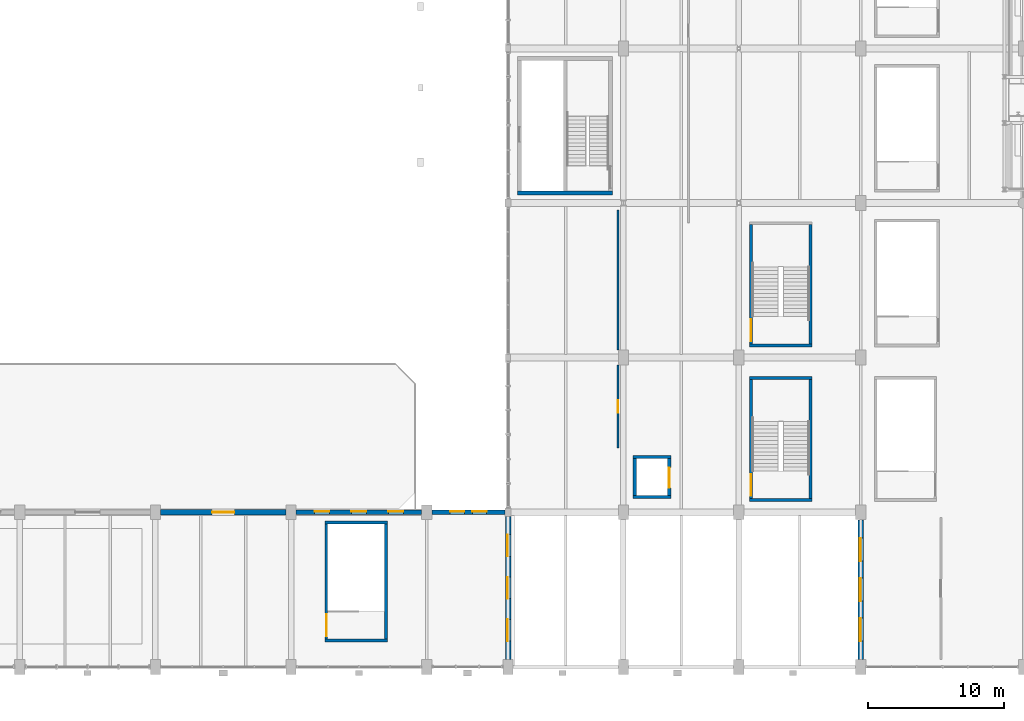
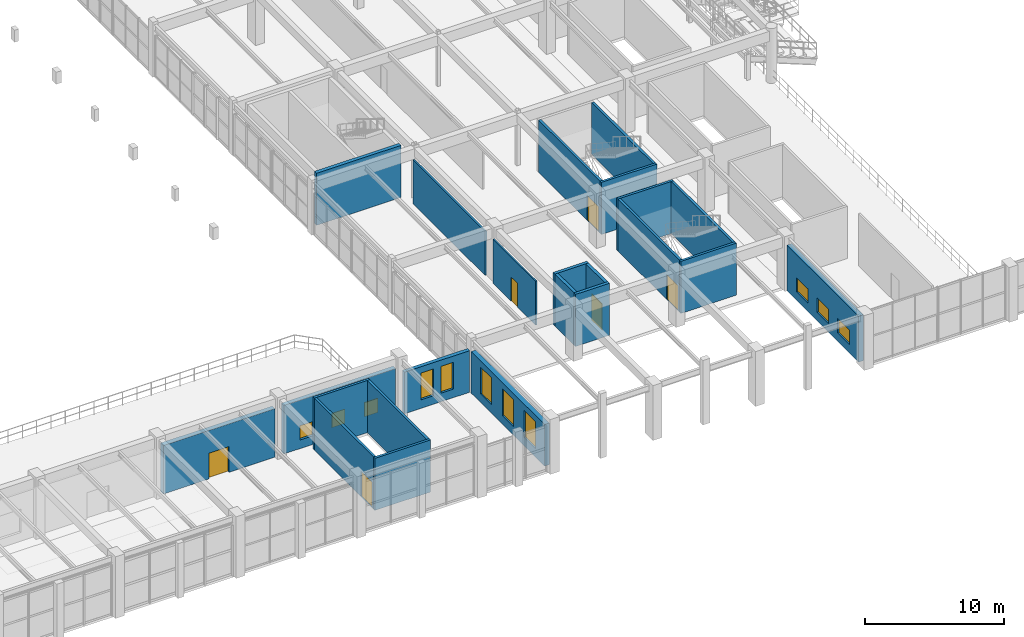
# One storey, part 82 of 106: 23 walls, 11 windows, 6 doors, 17 openings.
"""IFC4 building model written with IfcOpenShell, lengths in metres."""

from ifc_helpers import new_model, si_unit, direction, frame, frame_2d, origin, place, context, subcontext, project, spatial, rectangle, extrude, material, layer, layer_set, type_object, element, fill, save


model = new_model("IFC4")

# Units and contexts
model_context = context("Model", 3, precision=1e-05, world=origin(), true_north=direction((0.0, 1.0)))
body_context = subcontext(model_context, "Body", "Model", "MODEL_VIEW")
ifc_project = project(units=[si_unit("LENGTHUNIT", "METRE"), si_unit("AREAUNIT", "SQUARE_METRE"), si_unit("VOLUMEUNIT", "CUBIC_METRE"), si_unit("PLANEANGLEUNIT", "RADIAN"), si_unit("MASSUNIT", "GRAM", prefix="KILO"), si_unit("POWERUNIT", "WATT"), si_unit("THERMODYNAMICTEMPERATUREUNIT", "KELVIN")], contexts=[model_context])

# Site, building, storey
site_placement = place(None, origin())
site = spatial("IfcSite", under=ifc_project, at=site_placement, CompositionType="ELEMENT")
building_placement = place(site_placement, origin())
building = spatial("IfcBuilding", under=site, at=building_placement, Name="Kelmbourne Parkland Aquatics Centre", CompositionType="ELEMENT")
storey_placement = place(building_placement, frame((0.0, 0.0, 5.39990234375)))
storey = spatial("IfcBuildingStorey", under=building, at=storey_placement, Name="L01", CompositionType="ELEMENT", Elevation=5.39990234375)

# Walls
ifc_material_1 = material(Name="Concrete C40/50", Category="concrete")
ifc_layer_1 = layer(ifc_material_1, 0.25)
ifc_layer_set_1 = layer_set([ifc_layer_1], Name="Concrete C40/50")
wall_type_1 = type_object("IfcWallType", Name="W-CORE-250", PredefinedType="SHEAR", material=ifc_layer_set_1)
for number, where, z_axis, x_axis, name in (
    (1, (111.199951171875, 13.324951171875, 0.0), (0.0, 0.0, 1.0), (1.0, 0.0, 0.0), "Goods lift south wall (L01)"),
    (2, (111.199951171875, 16.27490234375, 0.0), (0.0, 0.0, 1.0), (1.0, 0.0, 0.0), "Goods lift north wall (L01)"),
):
    element("IfcWall", number, at=place(storey_placement, frame(where, z_axis=z_axis, x_axis=x_axis)), inside=storey, type_object=wall_type_1, Name=name, PredefinedType="SHEAR", context=body_context, shape_type="SweptSolid", body=[
        extrude(rectangle(XDim=2.800048828125, YDim=0.25, at=frame_2d((1.39990234375, 0.0))), origin(), (0.0, 0.0, 1.0), 4.56005859375),
    ])
wall_1_placement = place(storey_placement, frame((111.324951171875, 13.449951171875, 0.0), z_axis=(0.0, 0.0, 1.0), x_axis=(0.0, 1.0, 0.0)))
element("IfcWall", 3, at=wall_1_placement, inside=storey, type_object=wall_type_1, Name="Goods lift west wall (L01)", PredefinedType="SHEAR", context=body_context, shape_type="SweptSolid", body=[
    extrude(rectangle(XDim=2.699951171875, YDim=0.25, at=frame_2d((1.35009765625, 0.0))), origin(), (0.0, 0.0, 1.0), 4.56005859375),
])

# Wall, opening, door
wall_2_placement = place(storey_placement, frame((113.875, 13.449951171875, 0.0), z_axis=(0.0, 0.0, 1.0), x_axis=(0.0, 1.0, 0.0)))
wall_2 = element("IfcWall", 4, at=wall_2_placement, inside=storey, type_object=wall_type_1, Name="Goods lift east wall (L01)", PredefinedType="SHEAR", context=body_context, shape_type="SweptSolid", body=[
    extrude(rectangle(XDim=2.699951171875, YDim=0.25, at=frame_2d((1.35009765625, 0.0))), origin(), (0.0, 0.0, 1.0), 4.56005859375),
])
opening_1_placement = place(wall_2_placement, frame((0.550048828125, 0.0, 0.0)))
opening_1 = element("IfcOpeningElement", 5, at=opening_1_placement, cuts=wall_2, Name="Opening LD03", PredefinedType="OPENING", context=body_context, shape_type="SweptSolid", body=[
    extrude(rectangle(XDim=1.5, YDim=2.300048828125, at=frame_2d((0.75, 1.14990234375))), frame((0.0, 0.136962890625, 0.0), z_axis=(0.0, -1.0, 0.0), x_axis=(1.0, 0.0, 0.0)), (0.0, 0.0, 1.0), 0.27392578125),
])
ifc_material_2 = material(Name="Marine-grade stainless steel and fire-rated hardwood doorset", Category="steel")
ifc_layer_2 = layer(ifc_material_2, 0.050048828125)
ifc_layer_set_2 = layer_set([ifc_layer_2], Name="Marine-grade stainless steel and fire-rated hardwood doorset")
door_type_1 = type_object("IfcDoorType", Name="DR-LD-150", OperationType="NOTDEFINED", PredefinedType="DOOR", material=ifc_layer_set_2)
door_1_placement = place(opening_1_placement, origin())
door_1 = element("IfcDoor", 6, at=door_1_placement, inside=storey, type_object=door_type_1, Name="Goods lift landing door LF06 (L01)", OperationType="SLIDING_TO_LEFT", OverallHeight=2.300048828125, OverallWidth=1.5, PredefinedType="DOOR", context=body_context, shape_type="SweptSolid", body=[
    extrude(rectangle(XDim=1.5, YDim=2.300048828125, at=frame_2d((0.75, 1.14990234375))), frame((0.0, 0.02490234375, 0.0), z_axis=(0.0, -1.0, 0.0), x_axis=(1.0, 0.0, 0.0)), (0.0, 0.0, 1.0), 0.050048828125),
])
fill(opening_1, door_1)

# Wall
ifc_layer_3 = layer(ifc_material_1, 0.300048828125)
ifc_layer_set_3 = layer_set([ifc_layer_3], Name="Concrete C40/50")
wall_type_2 = type_object("IfcWallType", Name="W-CORE-300", PredefinedType="SHEAR", material=ifc_layer_set_3)
wall_3_placement = place(storey_placement, frame((102.699951171875, 35.75, 0.0), z_axis=(0.0, 0.0, 1.0), x_axis=(1.0, 0.0, 0.0)))
element("IfcWall", 7, at=wall_3_placement, inside=storey, type_object=wall_type_2, Name="East Spine Club and Village Core south wall (L01)", PredefinedType="SHEAR", context=body_context, shape_type="SweptSolid", body=[
    extrude(rectangle(XDim=7.0, YDim=0.300048828125, at=frame_2d((3.5, 0.0))), origin(), (0.0, 0.0, 1.0), 4.56005859375),
])

# Wall, openings, windows
ifc_material_3 = material(Name="Russet clinker clay brickwork", Category="masonry")
ifc_layer_4 = layer(ifc_material_3, 0.31005859375)
ifc_layer_set_4 = layer_set([ifc_layer_4], Name="Russet clinker clay brickwork")
wall_type_3 = type_object("IfcWallType", Name="W-EXT-310", PredefinedType="STANDARD", material=ifc_layer_set_4)
wall_4_placement = place(storey_placement, frame((96.376953125, 12.199951171875, 0.0), z_axis=(0.0, 0.0, 1.0), x_axis=(1.0, 0.0, 0.0)))
wall_4 = element("IfcWall", 8, at=wall_4_placement, inside=storey, type_object=wall_type_3, Name="Exterior polychrome brick wall EW-L01-080", PredefinedType="STANDARD", context=body_context, shape_type="SweptSolid", body=[
    extrude(rectangle(XDim=5.39599609375, YDim=0.31005859375, at=frame_2d((2.697998046875, 0.0))), origin(), (0.0, 0.0, 1.0), 3.64501953125),
])
opening_2_placement = place(wall_4_placement, frame((1.35009765625, 0.0, 0.75)))
opening_2 = element("IfcOpeningElement", 9, at=opening_2_placement, cuts=wall_4, Name="Opening W17", PredefinedType="OPENING", context=body_context, shape_type="SweptSolid", body=[
    extrude(rectangle(XDim=1.050048828125, YDim=2.35009765625, at=frame_2d((0.52490234375, 1.175048828125))), frame((0.0, 0.1669921875, 0.0), z_axis=(0.0, -1.0, 0.0), x_axis=(1.0, 0.0, 0.0)), (0.0, 0.0, 1.0), 0.333984375),
])
opening_3_placement = place(wall_4_placement, frame((2.99609375, 0.0, 0.75)))
opening_3 = element("IfcOpeningElement", 10, at=opening_3_placement, cuts=wall_4, Name="Opening W17", PredefinedType="OPENING", context=body_context, shape_type="SweptSolid", body=[
    extrude(rectangle(XDim=1.050048828125, YDim=2.35009765625, at=frame_2d((0.52490234375, 1.175048828125))), frame((0.0, 0.1669921875, 0.0), z_axis=(0.0, -1.0, 0.0), x_axis=(1.0, 0.0, 0.0)), (0.0, 0.0, 1.0), 0.333984375),
])
ifc_material_4 = material(Name="Thermally broken anodised aluminium window with low-e glass", Category="aluminium")
ifc_layer_5 = layer(ifc_material_4, 0.090087890625)
ifc_layer_set_5 = layer_set([ifc_layer_5], Name="Thermally broken anodised aluminium window with low-e glass")
window_type_1 = type_object("IfcWindowType", Name="WN-17", PartitioningType="SINGLE_PANEL", PredefinedType="WINDOW", material=ifc_layer_set_5)
window_1_placement = place(opening_2_placement, origin())
window_1 = element("IfcWindow", 11, at=window_1_placement, inside=storey, type_object=window_type_1, Name="Deep-reveal masonry window W17", OverallHeight=2.35009765625, OverallWidth=1.050048828125, PartitioningType="SINGLE_PANEL", PredefinedType="WINDOW", context=body_context, shape_type="SweptSolid", body=[
    extrude(rectangle(XDim=1.050048828125, YDim=2.35009765625, at=frame_2d((0.52490234375, 1.175048828125))), frame((0.0, 0.080078125, 0.0), z_axis=(0.0, -1.0, 0.0), x_axis=(1.0, 0.0, 0.0)), (0.0, 0.0, 1.0), 0.06005859375),
])
fill(opening_2, window_1)
window_2_placement = place(opening_3_placement, origin())
window_2 = element("IfcWindow", 12, at=window_2_placement, inside=storey, type_object=window_type_1, Name="Deep-reveal masonry window W17", OverallHeight=2.35009765625, OverallWidth=1.050048828125, PartitioningType="SINGLE_PANEL", PredefinedType="WINDOW", context=body_context, shape_type="SweptSolid", body=[
    extrude(rectangle(XDim=1.050048828125, YDim=2.35009765625, at=frame_2d((0.52490234375, 1.175048828125))), frame((0.0, 0.080078125, 0.0), z_axis=(0.0, -1.0, 0.0), x_axis=(1.0, 0.0, 0.0)), (0.0, 0.0, 1.0), 0.06005859375),
])
fill(opening_3, window_2)

ifc_material_5 = material(Name="Polychrome glazed brick header coursework", Category="masonry")
ifc_layer_6 = layer(ifc_material_5, 0.35009765625)
ifc_layer_set_6 = layer_set([ifc_layer_6], Name="Polychrome glazed brick header coursework")
wall_type_4 = type_object("IfcWallType", Name="W-EXT-350", PredefinedType="STANDARD", material=ifc_layer_set_6)
wall_5_placement = place(storey_placement, frame((86.376953125, 12.199951171875, 0.0), z_axis=(0.0, 0.0, 1.0), x_axis=(1.0, 0.0, 0.0)))
wall_5 = element("IfcWall", 13, at=wall_5_placement, inside=storey, type_object=wall_type_4, Name="Exterior polychrome brick wall EW-L01-079", PredefinedType="STANDARD", context=body_context, shape_type="SweptSolid", body=[
    extrude(rectangle(XDim=9.24609375, YDim=0.35009765625, at=frame_2d((4.623046875, 0.0))), origin(), (0.0, 0.0, 1.0), 4.2451171875),
])
opening_4_placement = place(wall_5_placement, frame((1.35009765625, 0.0, 0.75)))
opening_4 = element("IfcOpeningElement", 14, at=opening_4_placement, cuts=wall_5, Name="Opening W13", PredefinedType="OPENING", context=body_context, shape_type="SweptSolid", body=[
    extrude(rectangle(XDim=1.10009765625, YDim=1.25, at=frame_2d((0.550048828125, 0.625))), frame((0.0, 0.18701171875, 0.0), z_axis=(0.0, -1.0, 0.0), x_axis=(1.0, 0.0, 0.0)), (0.0, 0.0, 1.0), 0.3740234375),
])
opening_5_placement = place(wall_5_placement, frame((4.072998046875, 0.0, 0.75)))
opening_5 = element("IfcOpeningElement", 15, at=opening_5_placement, cuts=wall_5, Name="Opening W13", PredefinedType="OPENING", context=body_context, shape_type="SweptSolid", body=[
    extrude(rectangle(XDim=1.10009765625, YDim=1.25, at=frame_2d((0.550048828125, 0.625))), frame((0.0, 0.18701171875, 0.0), z_axis=(0.0, -1.0, 0.0), x_axis=(1.0, 0.0, 0.0)), (0.0, 0.0, 1.0), 0.3740234375),
])
opening_6_placement = place(wall_5_placement, frame((6.7958984375, 0.0, 0.75)))
opening_6 = element("IfcOpeningElement", 16, at=opening_6_placement, cuts=wall_5, Name="Opening W13", PredefinedType="OPENING", context=body_context, shape_type="SweptSolid", body=[
    extrude(rectangle(XDim=1.10009765625, YDim=1.25, at=frame_2d((0.550048828125, 0.625))), frame((0.0, 0.18701171875, 0.0), z_axis=(0.0, -1.0, 0.0), x_axis=(1.0, 0.0, 0.0)), (0.0, 0.0, 1.0), 0.3740234375),
])
ifc_layer_7 = layer(ifc_material_4, 0.090087890625)
ifc_layer_set_7 = layer_set([ifc_layer_7], Name="Thermally broken anodised aluminium window with low-e glass")
window_type_2 = type_object("IfcWindowType", Name="WN-13", PartitioningType="SINGLE_PANEL", PredefinedType="WINDOW", material=ifc_layer_set_7)
window_3_placement = place(opening_4_placement, origin())
window_3 = element("IfcWindow", 17, at=window_3_placement, inside=storey, type_object=window_type_2, Name="Deep-reveal masonry window W13", OverallHeight=1.25, OverallWidth=1.10009765625, PartitioningType="SINGLE_PANEL", PredefinedType="WINDOW", context=body_context, shape_type="SweptSolid", body=[
    extrude(rectangle(XDim=1.10009765625, YDim=1.25, at=frame_2d((0.550048828125, 0.625))), frame((0.0, 0.080078125, 0.0), z_axis=(0.0, -1.0, 0.0), x_axis=(1.0, 0.0, 0.0)), (0.0, 0.0, 1.0), 0.06005859375),
])
fill(opening_4, window_3)
window_4_placement = place(opening_5_placement, origin())
window_4 = element("IfcWindow", 18, at=window_4_placement, inside=storey, type_object=window_type_2, Name="Deep-reveal masonry window W13", OverallHeight=1.25, OverallWidth=1.10009765625, PartitioningType="SINGLE_PANEL", PredefinedType="WINDOW", context=body_context, shape_type="SweptSolid", body=[
    extrude(rectangle(XDim=1.10009765625, YDim=1.25, at=frame_2d((0.550048828125, 0.625))), frame((0.0, 0.080078125, 0.0), z_axis=(0.0, -1.0, 0.0), x_axis=(1.0, 0.0, 0.0)), (0.0, 0.0, 1.0), 0.06005859375),
])
fill(opening_5, window_4)
window_5_placement = place(opening_6_placement, origin())
window_5 = element("IfcWindow", 19, at=window_5_placement, inside=storey, type_object=window_type_2, Name="Deep-reveal masonry window W13", OverallHeight=1.25, OverallWidth=1.10009765625, PartitioningType="SINGLE_PANEL", PredefinedType="WINDOW", context=body_context, shape_type="SweptSolid", body=[
    extrude(rectangle(XDim=1.10009765625, YDim=1.25, at=frame_2d((0.550048828125, 0.625))), frame((0.0, 0.080078125, 0.0), z_axis=(0.0, -1.0, 0.0), x_axis=(1.0, 0.0, 0.0)), (0.0, 0.0, 1.0), 0.06005859375),
])
fill(opening_6, window_5)

# Wall, opening, door
ifc_layer_8 = layer(ifc_material_3, 0.389892578125)
ifc_layer_set_8 = layer_set([ifc_layer_8], Name="Russet clinker clay brickwork")
wall_type_5 = type_object("IfcWallType", Name="W-EXT-390", PredefinedType="STANDARD", material=ifc_layer_set_8)
wall_6_placement = place(storey_placement, frame((76.376953125, 12.199951171875, 0.0), z_axis=(0.0, 0.0, 1.0), x_axis=(1.0, 0.0, 0.0)))
wall_6 = element("IfcWall", 20, at=wall_6_placement, inside=storey, type_object=wall_type_5, Name="Exterior polychrome brick wall EW-L01-078", PredefinedType="STANDARD", context=body_context, shape_type="SweptSolid", body=[
    extrude(rectangle(XDim=9.24609375, YDim=0.389892578125, at=frame_2d((4.623046875, 0.0))), origin(), (0.0, 0.0, 1.0), 4.2451171875),
])
opening_7_placement = place(wall_6_placement, frame((3.798095703125, 0.0, 0.0)))
opening_7 = element("IfcOpeningElement", 21, at=opening_7_placement, cuts=wall_6, Name="Opening TRD2", PredefinedType="OPENING", context=body_context, shape_type="SweptSolid", body=[
    extrude(rectangle(XDim=1.64990234375, YDim=2.25, at=frame_2d((0.824951171875, 1.125))), frame((0.0, 0.20703125, 0.0), z_axis=(0.0, -1.0, 0.0), x_axis=(1.0, 0.0, 0.0)), (0.0, 0.0, 1.0), 0.413818359375),
])
ifc_material_6 = material(Name="Thermally broken anodised aluminium commercial door", Category="aluminium")
ifc_layer_9 = layer(ifc_material_6, 0.06005859375)
ifc_layer_set_9 = layer_set([ifc_layer_9], Name="Thermally broken anodised aluminium commercial door")
door_type_2 = type_object("IfcDoorType", Name="DR-TER-165", OperationType="NOTDEFINED", PredefinedType="DOOR", material=ifc_layer_set_9)
door_2_placement = place(opening_7_placement, origin())
door_2 = element("IfcDoor", 22, at=door_2_placement, inside=storey, type_object=door_type_2, Name="Walkable terrace access door EW-L01-078", OperationType="DOUBLE_DOOR_SINGLE_SWING", OverallHeight=2.25, OverallWidth=1.64990234375, PredefinedType="DOOR", context=body_context, shape_type="SweptSolid", body=[
    extrude(rectangle(XDim=1.64990234375, YDim=2.25, at=frame_2d((0.824951171875, 1.125))), frame((0.0, 0.02490234375, 0.0), z_axis=(0.0, -1.0, 0.0), x_axis=(1.0, 0.0, 0.0)), (0.0, 0.0, 1.0), 0.050048828125),
])
fill(opening_7, door_2)

# Wall, openings, windows
wall_7_placement = place(storey_placement, frame((102.0, 1.35205078125, 0.0), z_axis=(0.0, 0.0, 1.0), x_axis=(0.0, 1.0, 0.0)))
wall_7 = element("IfcWall", 23, at=wall_7_placement, inside=storey, type_object=wall_type_5, Name="Exterior polychrome brick wall EW-L01-081", PredefinedType="STANDARD", context=body_context, shape_type="SweptSolid", body=[
    extrude(rectangle(XDim=10.5458984375, YDim=0.389892578125, at=frame_2d((5.27294921875, 0.0))), origin(), (0.0, 0.0, 1.0), 3.64501953125),
])
opening_8_placement = place(wall_7_placement, frame((1.35009765625, 0.0, 0.75)))
opening_8 = element("IfcOpeningElement", 24, at=opening_8_placement, cuts=wall_7, Name="Opening W18", PredefinedType="OPENING", context=body_context, shape_type="SweptSolid", body=[
    extrude(rectangle(XDim=1.60009765625, YDim=2.35009765625, at=frame_2d((0.800048828125, 1.175048828125))), frame((0.0, 0.20703125, 0.0), z_axis=(0.0, -1.0, 0.0), x_axis=(1.0, 0.0, 0.0)), (0.0, 0.0, 1.0), 0.413818359375),
])
opening_9_placement = place(wall_7_placement, frame((4.472900390625, 0.0, 0.75)))
opening_9 = element("IfcOpeningElement", 25, at=opening_9_placement, cuts=wall_7, Name="Opening W18", PredefinedType="OPENING", context=body_context, shape_type="SweptSolid", body=[
    extrude(rectangle(XDim=1.60009765625, YDim=2.35009765625, at=frame_2d((0.800048828125, 1.175048828125))), frame((0.0, 0.20703125, 0.0), z_axis=(0.0, -1.0, 0.0), x_axis=(1.0, 0.0, 0.0)), (0.0, 0.0, 1.0), 0.413818359375),
])
opening_10_placement = place(wall_7_placement, frame((7.595947265625, 0.0, 0.75)))
opening_10 = element("IfcOpeningElement", 26, at=opening_10_placement, cuts=wall_7, Name="Opening W18", PredefinedType="OPENING", context=body_context, shape_type="SweptSolid", body=[
    extrude(rectangle(XDim=1.60009765625, YDim=2.35009765625, at=frame_2d((0.800048828125, 1.175048828125))), frame((0.0, 0.20703125, 0.0), z_axis=(0.0, -1.0, 0.0), x_axis=(1.0, 0.0, 0.0)), (0.0, 0.0, 1.0), 0.413818359375),
])
ifc_layer_10 = layer(ifc_material_4, 0.090087890625)
ifc_layer_set_10 = layer_set([ifc_layer_10], Name="Thermally broken anodised aluminium window with low-e glass")
window_type_3 = type_object("IfcWindowType", Name="WN-18", PartitioningType="DOUBLE_PANEL_VERTICAL", PredefinedType="WINDOW", material=ifc_layer_set_10)
window_6_placement = place(opening_8_placement, origin())
window_6 = element("IfcWindow", 27, at=window_6_placement, inside=storey, type_object=window_type_3, Name="Deep-reveal masonry window W18", OverallHeight=2.35009765625, OverallWidth=1.60009765625, PartitioningType="DOUBLE_PANEL_VERTICAL", PredefinedType="WINDOW", context=body_context, shape_type="SweptSolid", body=[
    extrude(rectangle(XDim=1.60009765625, YDim=2.35009765625, at=frame_2d((0.800048828125, 1.175048828125))), frame((0.0, 0.080078125, 0.0), z_axis=(0.0, -1.0, 0.0), x_axis=(1.0, 0.0, 0.0)), (0.0, 0.0, 1.0), 0.06005859375),
])
fill(opening_8, window_6)
window_7_placement = place(opening_9_placement, origin())
window_7 = element("IfcWindow", 28, at=window_7_placement, inside=storey, type_object=window_type_3, Name="Deep-reveal masonry window W18", OverallHeight=2.35009765625, OverallWidth=1.60009765625, PartitioningType="DOUBLE_PANEL_VERTICAL", PredefinedType="WINDOW", context=body_context, shape_type="SweptSolid", body=[
    extrude(rectangle(XDim=1.60009765625, YDim=2.35009765625, at=frame_2d((0.800048828125, 1.175048828125))), frame((0.0, 0.080078125, 0.0), z_axis=(0.0, -1.0, 0.0), x_axis=(1.0, 0.0, 0.0)), (0.0, 0.0, 1.0), 0.06005859375),
])
fill(opening_9, window_7)
window_8_placement = place(opening_10_placement, origin())
window_8 = element("IfcWindow", 29, at=window_8_placement, inside=storey, type_object=window_type_3, Name="Deep-reveal masonry window W18", OverallHeight=2.35009765625, OverallWidth=1.60009765625, PartitioningType="DOUBLE_PANEL_VERTICAL", PredefinedType="WINDOW", context=body_context, shape_type="SweptSolid", body=[
    extrude(rectangle(XDim=1.60009765625, YDim=2.35009765625, at=frame_2d((0.800048828125, 1.175048828125))), frame((0.0, 0.080078125, 0.0), z_axis=(0.0, -1.0, 0.0), x_axis=(1.0, 0.0, 0.0)), (0.0, 0.0, 1.0), 0.06005859375),
])
fill(opening_10, window_8)

wall_8_placement = place(storey_placement, frame((128.0, 1.35205078125, 0.0), z_axis=(0.0, 0.0, 1.0), x_axis=(0.0, 1.0, 0.0)))
wall_8 = element("IfcWall", 30, at=wall_8_placement, inside=storey, type_object=wall_type_5, Name="Exterior polychrome brick wall EW-L01-090", PredefinedType="STANDARD", context=body_context, shape_type="SweptSolid", body=[
    extrude(rectangle(XDim=10.2958984375, YDim=0.389892578125, at=frame_2d((5.14794921875, 0.0))), origin(), (0.0, 0.0, 1.0), 4.01220703125),
])
opening_11_placement = place(wall_8_placement, frame((1.35009765625, 0.0, 0.75)))
opening_11 = element("IfcOpeningElement", 31, at=opening_11_placement, cuts=wall_8, Name="Opening W14", PredefinedType="OPENING", context=body_context, shape_type="SweptSolid", body=[
    extrude(rectangle(XDim=1.699951171875, YDim=1.25, at=frame_2d((0.85009765625, 0.625))), frame((0.0, 0.20703125, 0.0), z_axis=(0.0, -1.0, 0.0), x_axis=(1.0, 0.0, 0.0)), (0.0, 0.0, 1.0), 0.413818359375),
])
opening_12_placement = place(wall_8_placement, frame((4.298095703125, 0.0, 0.75)))
opening_12 = element("IfcOpeningElement", 32, at=opening_12_placement, cuts=wall_8, Name="Opening W14", PredefinedType="OPENING", context=body_context, shape_type="SweptSolid", body=[
    extrude(rectangle(XDim=1.699951171875, YDim=1.25, at=frame_2d((0.85009765625, 0.625))), frame((0.0, 0.20703125, 0.0), z_axis=(0.0, -1.0, 0.0), x_axis=(1.0, 0.0, 0.0)), (0.0, 0.0, 1.0), 0.413818359375),
])
opening_13_placement = place(wall_8_placement, frame((7.24609375, 0.0, 0.75)))
opening_13 = element("IfcOpeningElement", 33, at=opening_13_placement, cuts=wall_8, Name="Opening W14", PredefinedType="OPENING", context=body_context, shape_type="SweptSolid", body=[
    extrude(rectangle(XDim=1.699951171875, YDim=1.25, at=frame_2d((0.85009765625, 0.625))), frame((0.0, 0.20703125, 0.0), z_axis=(0.0, -1.0, 0.0), x_axis=(1.0, 0.0, 0.0)), (0.0, 0.0, 1.0), 0.413818359375),
])
ifc_layer_11 = layer(ifc_material_4, 0.090087890625)
ifc_layer_set_11 = layer_set([ifc_layer_11], Name="Thermally broken anodised aluminium window with low-e glass")
window_type_4 = type_object("IfcWindowType", Name="WN-14", PartitioningType="DOUBLE_PANEL_HORIZONTAL", PredefinedType="WINDOW", material=ifc_layer_set_11)
window_9_placement = place(opening_11_placement, origin())
window_9 = element("IfcWindow", 34, at=window_9_placement, inside=storey, type_object=window_type_4, Name="Deep-reveal masonry window W14", OverallHeight=1.25, OverallWidth=1.699951171875, PartitioningType="DOUBLE_PANEL_HORIZONTAL", PredefinedType="WINDOW", context=body_context, shape_type="SweptSolid", body=[
    extrude(rectangle(XDim=1.699951171875, YDim=1.25, at=frame_2d((0.85009765625, 0.625))), frame((0.0, 0.080078125, 0.0), z_axis=(0.0, -1.0, 0.0), x_axis=(1.0, 0.0, 0.0)), (0.0, 0.0, 1.0), 0.06005859375),
])
fill(opening_11, window_9)
window_10_placement = place(opening_12_placement, origin())
window_10 = element("IfcWindow", 35, at=window_10_placement, inside=storey, type_object=window_type_4, Name="Deep-reveal masonry window W14", OverallHeight=1.25, OverallWidth=1.699951171875, PartitioningType="DOUBLE_PANEL_HORIZONTAL", PredefinedType="WINDOW", context=body_context, shape_type="SweptSolid", body=[
    extrude(rectangle(XDim=1.699951171875, YDim=1.25, at=frame_2d((0.85009765625, 0.625))), frame((0.0, 0.080078125, 0.0), z_axis=(0.0, -1.0, 0.0), x_axis=(1.0, 0.0, 0.0)), (0.0, 0.0, 1.0), 0.06005859375),
])
fill(opening_12, window_10)
window_11_placement = place(opening_13_placement, origin())
window_11 = element("IfcWindow", 36, at=window_11_placement, inside=storey, type_object=window_type_4, Name="Deep-reveal masonry window W14", OverallHeight=1.25, OverallWidth=1.699951171875, PartitioningType="DOUBLE_PANEL_HORIZONTAL", PredefinedType="WINDOW", context=body_context, shape_type="SweptSolid", body=[
    extrude(rectangle(XDim=1.699951171875, YDim=1.25, at=frame_2d((0.85009765625, 0.625))), frame((0.0, 0.080078125, 0.0), z_axis=(0.0, -1.0, 0.0), x_axis=(1.0, 0.0, 0.0)), (0.0, 0.0, 1.0), 0.06005859375),
])
fill(opening_13, window_11)

# Walls
ifc_material_7 = material(Name="Concrete blockwork C32/40", Category="masonry")
ifc_layer_12 = layer(ifc_material_7, 0.199951171875)
ifc_layer_set_12 = layer_set([ifc_layer_12], Name="Concrete blockwork C32/40")
wall_type_6 = type_object("IfcWallType", Name="W-FIRE-200", PredefinedType="SOLIDWALL", material=ifc_layer_set_12)
for number, where, z_axis, x_axis, name in (
    (37, (119.800048828125, 13.10009765625, 0.0), (0.0, 0.0, 1.0), (1.0, 0.0, 0.0), "South East Concourse Exit Stair south enclosure (L01)"),
    (38, (119.800048828125, 22.10009765625, 0.0), (0.0, 0.0, 1.0), (1.0, 0.0, 0.0), "South East Concourse Exit Stair north enclosure (L01)"),
):
    element("IfcWall", number, at=place(storey_placement, frame(where, z_axis=z_axis, x_axis=x_axis)), inside=storey, type_object=wall_type_6, Name=name, PredefinedType="SOLIDWALL", context=body_context, shape_type="SweptSolid", body=[
        extrude(rectangle(XDim=4.599853515625, YDim=0.199951171875, at=frame_2d((2.2998046875, 0.0))), origin(), (0.0, 0.0, 1.0), 4.56005859375),
    ])

# Wall, opening, door
wall_9_placement = place(storey_placement, frame((119.89990234375, 13.199951171875, 0.0), z_axis=(0.0, 0.0, 1.0), x_axis=(0.0, 1.0, 0.0)))
wall_9 = element("IfcWall", 39, at=wall_9_placement, inside=storey, type_object=wall_type_6, Name="South East Concourse Exit Stair west enclosure (L01)", PredefinedType="SOLIDWALL", context=body_context, shape_type="SweptSolid", body=[
    extrude(rectangle(XDim=8.800048828125, YDim=0.199951171875, at=frame_2d((4.39990234375, 0.0))), origin(), (0.0, 0.0, 1.0), 4.56005859375),
])
opening_14_placement = place(wall_9_placement, frame((0.219970703125, 0.0, 0.0)))
opening_14 = element("IfcOpeningElement", 40, at=opening_14_placement, cuts=wall_9, Name="Opening FD02", PredefinedType="OPENING", context=body_context, shape_type="SweptSolid", body=[
    extrude(rectangle(XDim=1.60009765625, YDim=2.199951171875, at=frame_2d((0.800048828125, 1.10009765625))), frame((0.0, 0.11181640625, 0.0), z_axis=(0.0, -1.0, 0.0), x_axis=(1.0, 0.0, 0.0)), (0.0, 0.0, 1.0), 0.223876953125),
])
ifc_layer_13 = layer(ifc_material_2, 0.050048828125)
ifc_layer_set_13 = layer_set([ifc_layer_13], Name="Marine-grade stainless steel and fire-rated hardwood doorset")
door_type_3 = type_object("IfcDoorType", Name="DR-FD-160", OperationType="NOTDEFINED", PredefinedType="DOOR", material=ifc_layer_set_13)
door_3_placement = place(opening_14_placement, origin())
door_3 = element("IfcDoor", 41, at=door_3_placement, inside=storey, type_object=door_type_3, Name="Exit stair fire door ST09 (L01)", OperationType="DOUBLE_DOOR_SINGLE_SWING", OverallHeight=2.199951171875, OverallWidth=1.60009765625, PredefinedType="DOOR", context=body_context, shape_type="SweptSolid", body=[
    extrude(rectangle(XDim=1.60009765625, YDim=2.199951171875, at=frame_2d((0.800048828125, 1.10009765625))), frame((0.0, 0.02490234375, 0.0), z_axis=(0.0, -1.0, 0.0), x_axis=(1.0, 0.0, 0.0)), (0.0, 0.0, 1.0), 0.050048828125),
])
fill(opening_14, door_3)

# Walls
wall_10_placement = place(storey_placement, frame((124.300048828125, 13.199951171875, 0.0), z_axis=(0.0, 0.0, 1.0), x_axis=(0.0, 1.0, 0.0)))
element("IfcWall", 42, at=wall_10_placement, inside=storey, type_object=wall_type_6, Name="South East Concourse Exit Stair east enclosure (L01)", PredefinedType="SOLIDWALL", context=body_context, shape_type="SweptSolid", body=[
    extrude(rectangle(XDim=8.800048828125, YDim=0.199951171875, at=frame_2d((4.39990234375, 0.0))), origin(), (0.0, 0.0, 1.0), 4.56005859375),
])
for number, where, z_axis, x_axis, name in (
    (43, (88.5, 2.75, 0.0), (0.0, 0.0, 1.0), (1.0, 0.0, 0.0), "Foyer East Gallery Exit Stair south enclosure (L01)"),
    (44, (88.5, 11.449951171875, 0.0), (0.0, 0.0, 1.0), (1.0, 0.0, 0.0), "Foyer East Gallery Exit Stair north enclosure (L01)"),
):
    element("IfcWall", number, at=place(storey_placement, frame(where, z_axis=z_axis, x_axis=x_axis)), inside=storey, type_object=wall_type_6, Name=name, PredefinedType="SOLIDWALL", context=body_context, shape_type="SweptSolid", body=[
        extrude(rectangle(XDim=4.60009765625, YDim=0.199951171875, at=frame_2d((2.300048828125, 0.0))), origin(), (0.0, 0.0, 1.0), 4.56005859375),
    ])

# Wall, opening, door
wall_11_placement = place(storey_placement, frame((88.60009765625, 2.85009765625, 0.0), z_axis=(0.0, 0.0, 1.0), x_axis=(0.0, 1.0, 0.0)))
wall_11 = element("IfcWall", 45, at=wall_11_placement, inside=storey, type_object=wall_type_6, Name="Foyer East Gallery Exit Stair west enclosure (L01)", PredefinedType="SOLIDWALL", context=body_context, shape_type="SweptSolid", body=[
    extrude(rectangle(XDim=8.5, YDim=0.199951171875, at=frame_2d((4.25, 0.0))), origin(), (0.0, 0.0, 1.0), 4.56005859375),
])
opening_15_placement = place(wall_11_placement, frame((0.219970703125, 0.0, 0.0)))
opening_15 = element("IfcOpeningElement", 46, at=opening_15_placement, cuts=wall_11, Name="Opening FD02", PredefinedType="OPENING", context=body_context, shape_type="SweptSolid", body=[
    extrude(rectangle(XDim=1.60009765625, YDim=2.199951171875, at=frame_2d((0.800048828125, 1.10009765625))), frame((0.0, 0.11181640625, 0.0), z_axis=(0.0, -1.0, 0.0), x_axis=(1.0, 0.0, 0.0)), (0.0, 0.0, 1.0), 0.223876953125),
])
door_4_placement = place(opening_15_placement, origin())
door_4 = element("IfcDoor", 47, at=door_4_placement, inside=storey, type_object=door_type_3, Name="Exit stair fire door ST13 (L01)", OperationType="DOUBLE_DOOR_SINGLE_SWING", OverallHeight=2.199951171875, OverallWidth=1.60009765625, PredefinedType="DOOR", context=body_context, shape_type="SweptSolid", body=[
    extrude(rectangle(XDim=1.60009765625, YDim=2.199951171875, at=frame_2d((0.800048828125, 1.10009765625))), frame((0.0, 0.02490234375, 0.0), z_axis=(0.0, -1.0, 0.0), x_axis=(1.0, 0.0, 0.0)), (0.0, 0.0, 1.0), 0.050048828125),
])
fill(opening_15, door_4)

# Walls
wall_12_placement = place(storey_placement, frame((93.0, 2.85009765625, 0.0), z_axis=(0.0, 0.0, 1.0), x_axis=(0.0, 1.0, 0.0)))
element("IfcWall", 48, at=wall_12_placement, inside=storey, type_object=wall_type_6, Name="Foyer East Gallery Exit Stair east enclosure (L01)", PredefinedType="SOLIDWALL", context=body_context, shape_type="SweptSolid", body=[
    extrude(rectangle(XDim=8.5, YDim=0.199951171875, at=frame_2d((4.25, 0.0))), origin(), (0.0, 0.0, 1.0), 4.56005859375),
])
wall_13_placement = place(storey_placement, frame((119.800048828125, 24.5, 0.0), z_axis=(0.0, 0.0, 1.0), x_axis=(1.0, 0.0, 0.0)))
element("IfcWall", 49, at=wall_13_placement, inside=storey, type_object=wall_type_6, Name="East Club Terrace Exit Stair south enclosure (L01)", PredefinedType="SOLIDWALL", context=body_context, shape_type="SweptSolid", body=[
    extrude(rectangle(XDim=4.599853515625, YDim=0.199951171875, at=frame_2d((2.2998046875, 0.0))), origin(), (0.0, 0.0, 1.0), 4.56005859375),
])

# Wall, opening, door
wall_14_placement = place(storey_placement, frame((119.89990234375, 24.60009765625, 0.0), z_axis=(0.0, 0.0, 1.0), x_axis=(0.0, 1.0, 0.0)))
wall_14 = element("IfcWall", 50, at=wall_14_placement, inside=storey, type_object=wall_type_6, Name="East Club Terrace Exit Stair west enclosure (L01)", PredefinedType="SOLIDWALL", context=body_context, shape_type="SweptSolid", body=[
    extrude(rectangle(XDim=8.7998046875, YDim=0.199951171875, at=frame_2d((4.39990234375, 0.0))), origin(), (0.0, 0.0, 1.0), 4.56005859375),
])
opening_16_placement = place(wall_14_placement, frame((0.219970703125, 0.0, 0.0)))
opening_16 = element("IfcOpeningElement", 51, at=opening_16_placement, cuts=wall_14, Name="Opening FD02", PredefinedType="OPENING", context=body_context, shape_type="SweptSolid", body=[
    extrude(rectangle(XDim=1.60009765625, YDim=2.199951171875, at=frame_2d((0.800048828125, 1.10009765625))), frame((0.0, 0.11181640625, 0.0), z_axis=(0.0, -1.0, 0.0), x_axis=(1.0, 0.0, 0.0)), (0.0, 0.0, 1.0), 0.223876953125),
])
door_5_placement = place(opening_16_placement, origin())
door_5 = element("IfcDoor", 52, at=door_5_placement, inside=storey, type_object=door_type_3, Name="Exit stair fire door ST14 (L01)", OperationType="DOUBLE_DOOR_SINGLE_SWING", OverallHeight=2.199951171875, OverallWidth=1.60009765625, PredefinedType="DOOR", context=body_context, shape_type="SweptSolid", body=[
    extrude(rectangle(XDim=1.60009765625, YDim=2.199951171875, at=frame_2d((0.800048828125, 1.10009765625))), frame((0.0, 0.02490234375, 0.0), z_axis=(0.0, -1.0, 0.0), x_axis=(1.0, 0.0, 0.0)), (0.0, 0.0, 1.0), 0.050048828125),
])
fill(opening_16, door_5)

# Wall
wall_15_placement = place(storey_placement, frame((124.300048828125, 24.60009765625, 0.0), z_axis=(0.0, 0.0, 1.0), x_axis=(0.0, 1.0, 0.0)))
element("IfcWall", 53, at=wall_15_placement, inside=storey, type_object=wall_type_6, Name="East Club Terrace Exit Stair east enclosure (L01)", PredefinedType="SOLIDWALL", context=body_context, shape_type="SweptSolid", body=[
    extrude(rectangle(XDim=8.7998046875, YDim=0.199951171875, at=frame_2d((4.39990234375, 0.0))), origin(), (0.0, 0.0, 1.0), 4.56005859375),
])

# Wall, opening, door
ifc_material_8 = material(Name="Moisture-resistant acoustic stud partition", Category="gypsum")
ifc_layer_14 = layer(ifc_material_8, 0.1201171875)
ifc_layer_set_14 = layer_set([ifc_layer_14], Name="Moisture-resistant acoustic stud partition")
wall_type_7 = type_object("IfcWallType", Name="W-PART-120", PredefinedType="PARTITIONING", material=ifc_layer_set_14)
wall_16_placement = place(storey_placement, frame((110.10009765625, 16.949951171875, 0.0), z_axis=(0.0, 0.0, 1.0), x_axis=(0.0, 1.0, 0.0)))
wall_16 = element("IfcWall", 54, at=wall_16_placement, inside=storey, type_object=wall_type_7, Name="Interior partition PT-L01-073", PredefinedType="PARTITIONING", context=body_context, shape_type="SweptSolid", body=[
    extrude(rectangle(XDim=6.09814453125, YDim=0.1201171875, at=frame_2d((3.049072265625, 0.0))), origin(), (0.0, 0.0, 1.0), 3.84521484375),
])
opening_17_placement = place(wall_16_placement, frame((2.589111328125, 0.0, 0.0)))
opening_17 = element("IfcOpeningElement", 55, at=opening_17_placement, cuts=wall_16, Name="Opening ID06", PredefinedType="OPENING", context=body_context, shape_type="SweptSolid", body=[
    extrude(rectangle(XDim=0.919921875, YDim=2.10009765625, at=frame_2d((0.4599609375, 1.050048828125))), frame((0.0, 0.072021484375, 0.0), z_axis=(0.0, -1.0, 0.0), x_axis=(1.0, 0.0, 0.0)), (0.0, 0.0, 1.0), 0.14404296875),
])
ifc_material_9 = material(Name="Marine-grade stainless steel and solid-core hardwood doorset", Category="timber")
ifc_layer_15 = layer(ifc_material_9, 0.050048828125)
ifc_layer_set_15 = layer_set([ifc_layer_15], Name="Marine-grade stainless steel and solid-core hardwood doorset")
door_type_4 = type_object("IfcDoorType", Name="DR-INT-092", OperationType="NOTDEFINED", PredefinedType="DOOR", material=ifc_layer_set_15)
door_6_placement = place(opening_17_placement, origin())
door_6 = element("IfcDoor", 56, at=door_6_placement, inside=storey, type_object=door_type_4, Name="Interior door ID06 (L01-041)", OperationType="SINGLE_SWING_RIGHT", OverallHeight=2.10009765625, OverallWidth=0.919921875, PredefinedType="DOOR", context=body_context, shape_type="SweptSolid", body=[
    extrude(rectangle(XDim=0.919921875, YDim=2.10009765625, at=frame_2d((0.4599609375, 1.050048828125))), frame((0.0, 0.02490234375, 0.0), z_axis=(0.0, -1.0, 0.0), x_axis=(1.0, 0.0, 0.0)), (0.0, 0.0, 1.0), 0.050048828125),
])
fill(opening_17, door_6)

# Wall
ifc_layer_16 = layer(ifc_material_8, 0.14990234375)
ifc_layer_set_16 = layer_set([ifc_layer_16], Name="Moisture-resistant acoustic stud partition")
wall_type_8 = type_object("IfcWallType", Name="W-PART-150", PredefinedType="PARTITIONING", material=ifc_layer_set_16)
wall_17_placement = place(storey_placement, frame((110.10009765625, 24.152099609375, 0.0), z_axis=(0.0, 0.0, 1.0), x_axis=(0.0, 1.0, 0.0)))
element("IfcWall", 57, at=wall_17_placement, inside=storey, type_object=wall_type_8, Name="Interior partition PT-L01-074", PredefinedType="PARTITIONING", context=body_context, shape_type="SweptSolid", body=[
    extrude(rectangle(XDim=10.347900390625, YDim=0.14990234375, at=frame_2d((5.173828125, 0.0))), origin(), (0.0, 0.0, 1.0), 3.84521484375),
])

save(model, "model.ifc")
